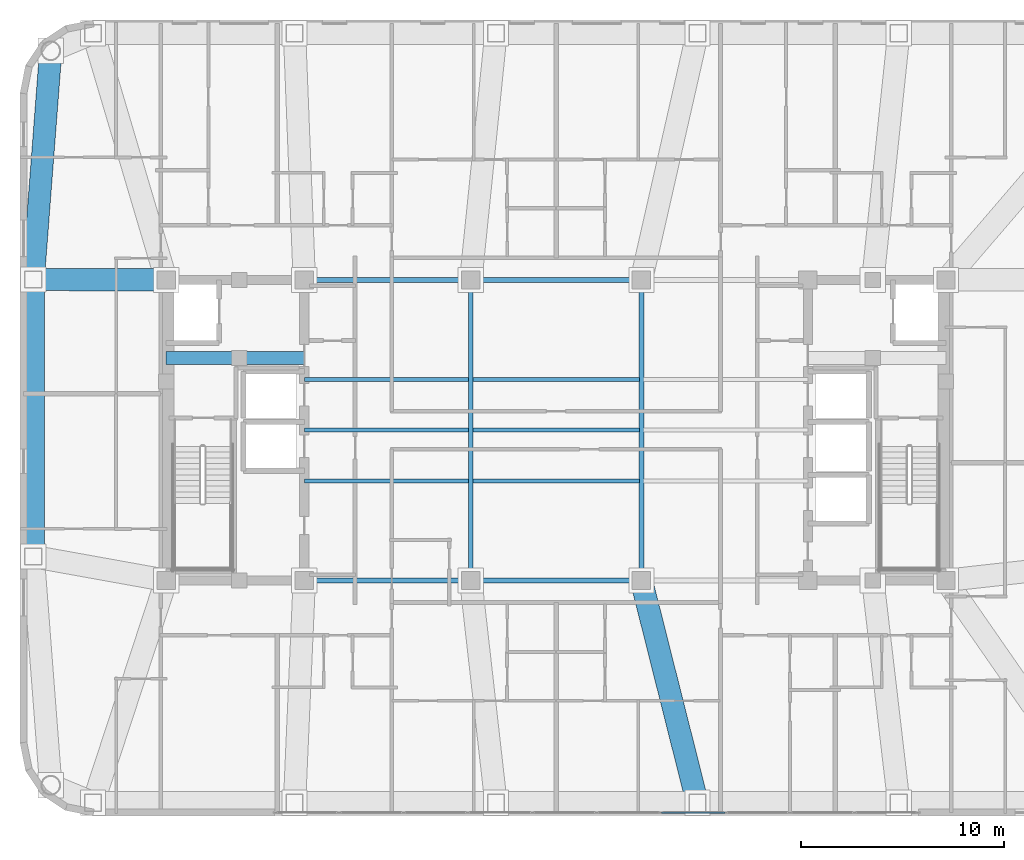
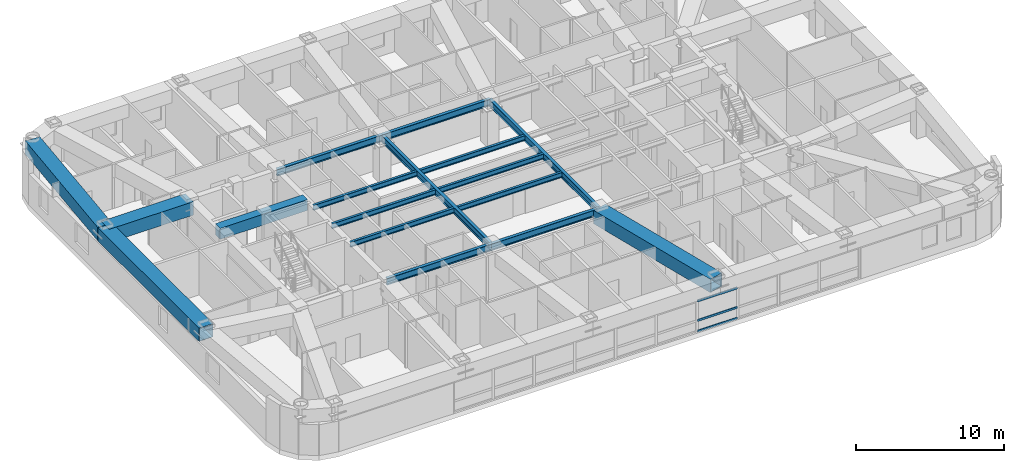
# One storey, part 5 of 16: 17 beams, 3 members, 1 element without a shape of its own.
"""IFC4 building model written with IfcOpenShell, lengths in metres."""

from ifc_helpers import new_model, si_unit, direction, frame, origin, origin_2d, place, context, subcontext, project, spatial, rectangle, hollow_rectangle, i_section, extrude, material, layer, layer_set, material_profile, profile_set, type_object, element, aggregate, save


model = new_model("IFC4")

# Units and contexts
model_context = context("Model", 3, precision=1e-05, world=origin(), true_north=direction((0.0, 1.0)))
body_context = subcontext(model_context, "Body", "Model", "MODEL_VIEW")
ifc_project = project(units=[si_unit("LENGTHUNIT", "METRE"), si_unit("AREAUNIT", "SQUARE_METRE"), si_unit("VOLUMEUNIT", "CUBIC_METRE"), si_unit("PLANEANGLEUNIT", "RADIAN"), si_unit("MASSUNIT", "GRAM", prefix="KILO")], contexts=[model_context])

# Site, building, storey
site_placement = place(None, origin())
site = spatial("IfcSite", under=ifc_project, at=site_placement, CompositionType="ELEMENT")
building_placement = place(site_placement, origin())
building = spatial("IfcBuilding", under=site, at=building_placement, Name="Voryun Gate Residences", CompositionType="ELEMENT")
storey_placement = place(building_placement, frame((0.0, 0.0, 200.199951171875)))
storey = spatial("IfcBuildingStorey", under=building, at=storey_placement, Name="L49", CompositionType="ELEMENT", Elevation=200.199951171875)

# Beams
ifc_material_1 = material(Name="Steel SM420", Category="steel")
ifc_material_profile_1 = material_profile(ifc_material_1, hollow_rectangle(XDim=1.10009765625, YDim=1.10009765625, WallThickness=0.035888671875, at=origin_2d()), Name="BOX-1100x1100x36")
ifc_profile_set_1 = profile_set([ifc_material_profile_1], Name="Steel SM420")
beam_type_1 = type_object("IfcBeamType", Name="BM_ARCH_RIB", PredefinedType="USERDEFINED", material=ifc_profile_set_1)
beam_1_placement = place(storey_placement, frame((-24.885986328125, 18.68603515625, 3.10009765625), z_axis=(-0.076481657417, -0.997070988485, 0.0), x_axis=(0.997070988485, -0.076481657417, 0.0)))
element("IfcBeam", 1, at=beam_1_placement, inside=storey, type_object=beam_type_1, Name="BM-L49-SPAND-17", ObjectType="GIRDER", PredefinedType="USERDEFINED", context=body_context, shape_type="SweptSolid", body=[
    extrude(hollow_rectangle(XDim=1.10009765625, YDim=1.10009765625, WallThickness=0.035888671875, at=origin_2d()), origin(), (0.0, 0.0, 1.0), 11.297119140625),
])
beam_2_placement = place(storey_placement, frame((-25.75, 7.422119140625, 3.10009765625), z_axis=(0.0, -1.0, 0.0), x_axis=(1.0, 0.0, 0.0)))
element("IfcBeam", 2, at=beam_2_placement, inside=storey, type_object=beam_type_1, Name="BM-L49-SPAND-18", ObjectType="GIRDER", PredefinedType="USERDEFINED", context=body_context, shape_type="SweptSolid", body=[
    extrude(hollow_rectangle(XDim=1.10009765625, YDim=1.10009765625, WallThickness=0.035888671875, at=origin_2d()), origin(), (0.0, 0.0, 1.0), 13.64404296875),
])
beam_3_placement = place(storey_placement, frame((4.199951171875, -7.39990234375, 3.10009765625), z_axis=(0.24440715799, -0.969672697936, 0.0), x_axis=(0.969672697936, 0.24440715799, 0.0)))
element("IfcBeam", 3, at=beam_3_placement, inside=storey, type_object=beam_type_1, Name="BM-L49-RAD-S4", ObjectType="GIRDER", PredefinedType="USERDEFINED", context=body_context, shape_type="SweptSolid", body=[
    extrude(hollow_rectangle(XDim=1.10009765625, YDim=1.10009765625, WallThickness=0.035888671875, at=origin_2d()), origin(), (0.0, 0.0, 1.0), 11.292724609375),
])
beam_4_placement = place(storey_placement, frame((-19.199951171875, 7.39990234375, 3.10009765625), z_axis=(-0.999994247719, 0.003391832589, 0.0), x_axis=(-0.003391832589, -0.999994247719, 0.0)))
element("IfcBeam", 4, at=beam_4_placement, inside=storey, type_object=beam_type_1, Name="BM-L49-RAD-W1", ObjectType="GIRDER", PredefinedType="USERDEFINED", context=body_context, shape_type="SweptSolid", body=[
    extrude(hollow_rectangle(XDim=1.10009765625, YDim=1.10009765625, WallThickness=0.035888671875, at=origin_2d()), origin(), (0.0, 0.0, 1.0), 6.550048828125),
])
ifc_material_2 = material(Name="Concrete C60/75", Category="concrete")
ifc_material_profile_2 = material_profile(ifc_material_2, rectangle(XDim=0.64990234375, YDim=0.89990234375, at=origin_2d()), Name="RC-650x900")
ifc_profile_set_2 = profile_set([ifc_material_profile_2], Name="Concrete C60/75")
beam_type_2 = type_object("IfcBeamType", Name="BM_COUP_RC900", PredefinedType="LINTEL", material=ifc_profile_set_2)
beam_5_placement = place(storey_placement, frame((-19.199951171875, 3.550048828125, 3.199951171875), z_axis=(1.0, 0.0, 0.0), x_axis=(0.0, 1.0, 0.0)))
element("IfcBeam", 5, at=beam_5_placement, inside=storey, type_object=beam_type_2, Name="BM-L49-WC1", PredefinedType="LINTEL", context=body_context, shape_type="SweptSolid", body=[
    extrude(rectangle(XDim=0.64990234375, YDim=0.89990234375, at=origin_2d()), origin(), (0.0, 0.0, 1.0), 6.800048828125),
])
ifc_material_3 = material(Name="Steel SM355", Category="steel")
ifc_material_profile_3 = material_profile(ifc_material_3, i_section(OverallWidth=0.239990234375, OverallDepth=0.550048828125, WebThickness=0.011962890625, FlangeThickness=0.02001953125, FilletRadius=0.01806640625, at=origin_2d()), Name="H-550x240x12x20")
ifc_profile_set_3 = profile_set([ifc_material_profile_3], Name="Steel SM355")
beam_type_3 = type_object("IfcBeamType", Name="BM_GIRD_550", PredefinedType="USERDEFINED", material=ifc_profile_set_3)
beam_6_placement = place(storey_placement, frame((-12.39990234375, -7.39990234375, 3.375), z_axis=(1.0, 0.0, 0.0), x_axis=(0.0, 1.0, 0.0)))
element("IfcBeam", 6, at=beam_6_placement, inside=storey, type_object=beam_type_3, Name="BM-L49-SPG1-S", ObjectType="GIRDER", PredefinedType="USERDEFINED", context=body_context, shape_type="SweptSolid", body=[
    extrude(i_section(OverallWidth=0.239990234375, OverallDepth=0.550048828125, WebThickness=0.011962890625, FlangeThickness=0.02001953125, FilletRadius=0.01806640625, at=origin_2d()), origin(), (0.0, 0.0, 1.0), 8.199951171875),
])
beam_7_placement = place(storey_placement, frame((-4.199951171875, -7.39990234375, 3.375), z_axis=(1.0, 0.0, 0.0), x_axis=(0.0, 1.0, 0.0)))
element("IfcBeam", 7, at=beam_7_placement, inside=storey, type_object=beam_type_3, Name="BM-L49-SPG2-S", ObjectType="GIRDER", PredefinedType="USERDEFINED", context=body_context, shape_type="SweptSolid", body=[
    extrude(i_section(OverallWidth=0.239990234375, OverallDepth=0.550048828125, WebThickness=0.011962890625, FlangeThickness=0.02001953125, FilletRadius=0.01806640625, at=origin_2d()), origin(), (0.0, 0.0, 1.0), 8.39990234375),
])
beam_8_placement = place(storey_placement, frame((-12.39990234375, 7.39990234375, 3.375), z_axis=(1.0, 0.0, 0.0), x_axis=(0.0, 1.0, 0.0)))
element("IfcBeam", 8, at=beam_8_placement, inside=storey, type_object=beam_type_3, Name="BM-L49-SPG1-N", ObjectType="GIRDER", PredefinedType="USERDEFINED", context=body_context, shape_type="SweptSolid", body=[
    extrude(i_section(OverallWidth=0.239990234375, OverallDepth=0.550048828125, WebThickness=0.011962890625, FlangeThickness=0.02001953125, FilletRadius=0.01806640625, at=origin_2d()), origin(), (0.0, 0.0, 1.0), 8.199951171875),
])
beam_9_placement = place(storey_placement, frame((-4.199951171875, 7.39990234375, 3.375), z_axis=(1.0, 0.0, 0.0), x_axis=(0.0, 1.0, 0.0)))
element("IfcBeam", 9, at=beam_9_placement, inside=storey, type_object=beam_type_3, Name="BM-L49-SPG2-N", ObjectType="GIRDER", PredefinedType="USERDEFINED", context=body_context, shape_type="SweptSolid", body=[
    extrude(i_section(OverallWidth=0.239990234375, OverallDepth=0.550048828125, WebThickness=0.011962890625, FlangeThickness=0.02001953125, FilletRadius=0.01806640625, at=origin_2d()), origin(), (0.0, 0.0, 1.0), 8.39990234375),
])
for number, where, z_axis, x_axis, name in (
    (10, (-4.199951171875, -7.39990234375, 3.375), (0.0, 1.0, 0.0), (-1.0, 0.0, 0.0), "BM-L49-SPX-W"),
    (11, (4.199951171875, -7.39990234375, 3.375), (0.0, 1.0, 0.0), (-1.0, 0.0, 0.0), "BM-L49-SPX-E"),
):
    element("IfcBeam", number, at=place(storey_placement, frame(where, z_axis=z_axis, x_axis=x_axis)), inside=storey, type_object=beam_type_3, Name=name, ObjectType="GIRDER", PredefinedType="USERDEFINED", context=body_context, shape_type="SweptSolid", body=[
        extrude(i_section(OverallWidth=0.239990234375, OverallDepth=0.550048828125, WebThickness=0.011962890625, FlangeThickness=0.02001953125, FilletRadius=0.01806640625, at=origin_2d()), origin(), (0.0, 0.0, 1.0), 14.7998046875),
    ])
ifc_material_4 = material(Name="Steel SM355", Category="steel")
ifc_material_profile_4 = material_profile(ifc_material_4, i_section(OverallWidth=0.18994140625, OverallDepth=0.419921875, WebThickness=0.009033203125, FlangeThickness=0.01611328125, FilletRadius=0.01806640625, at=origin_2d()), Name="H-420x190x9x16")
ifc_profile_set_4 = profile_set([ifc_material_profile_4], Name="Steel SM355")
beam_type_4 = type_object("IfcBeamType", Name="BM_SEC_420", PredefinedType="BEAM", material=ifc_profile_set_4)
beam_10_placement = place(storey_placement, frame((-12.39990234375, -2.5, 3.43994140625), z_axis=(1.0, 0.0, 0.0), x_axis=(0.0, 1.0, 0.0)))
element("IfcBeam", 12, at=beam_10_placement, inside=storey, type_object=beam_type_4, Name="BM-L49-SEC-CS1", PredefinedType="BEAM", context=body_context, shape_type="SweptSolid", body=[
    extrude(i_section(OverallWidth=0.18994140625, OverallDepth=0.419921875, WebThickness=0.009033203125, FlangeThickness=0.01611328125, FilletRadius=0.01806640625, at=origin_2d()), origin(), (0.0, 0.0, 1.0), 8.099853515625),
])
beam_11_placement = place(storey_placement, frame((-4.10009765625, -2.5, 3.43994140625), z_axis=(1.0, 0.0, 0.0), x_axis=(0.0, 1.0, 0.0)))
element("IfcBeam", 13, at=beam_11_placement, inside=storey, type_object=beam_type_4, Name="BM-L49-SEC-CS2", PredefinedType="BEAM", context=body_context, shape_type="SweptSolid", body=[
    extrude(i_section(OverallWidth=0.18994140625, OverallDepth=0.419921875, WebThickness=0.009033203125, FlangeThickness=0.01611328125, FilletRadius=0.01806640625, at=origin_2d()), origin(), (0.0, 0.0, 1.0), 8.2001953125),
])
beam_12_placement = place(storey_placement, frame((-12.39990234375, 0.0, 3.43994140625), z_axis=(1.0, 0.0, 0.0), x_axis=(0.0, 1.0, 0.0)))
element("IfcBeam", 14, at=beam_12_placement, inside=storey, type_object=beam_type_4, Name="BM-L49-SEC-CM1", PredefinedType="BEAM", context=body_context, shape_type="SweptSolid", body=[
    extrude(i_section(OverallWidth=0.18994140625, OverallDepth=0.419921875, WebThickness=0.009033203125, FlangeThickness=0.01611328125, FilletRadius=0.01806640625, at=origin_2d()), origin(), (0.0, 0.0, 1.0), 8.099853515625),
])
beam_13_placement = place(storey_placement, frame((-4.10009765625, 0.0, 3.43994140625), z_axis=(1.0, 0.0, 0.0), x_axis=(0.0, 1.0, 0.0)))
element("IfcBeam", 15, at=beam_13_placement, inside=storey, type_object=beam_type_4, Name="BM-L49-SEC-CM2", PredefinedType="BEAM", context=body_context, shape_type="SweptSolid", body=[
    extrude(i_section(OverallWidth=0.18994140625, OverallDepth=0.419921875, WebThickness=0.009033203125, FlangeThickness=0.01611328125, FilletRadius=0.01806640625, at=origin_2d()), origin(), (0.0, 0.0, 1.0), 8.2001953125),
])
beam_14_placement = place(storey_placement, frame((-12.39990234375, 2.5, 3.43994140625), z_axis=(1.0, 0.0, 0.0), x_axis=(0.0, 1.0, 0.0)))
element("IfcBeam", 16, at=beam_14_placement, inside=storey, type_object=beam_type_4, Name="BM-L49-SEC-CN1", PredefinedType="BEAM", context=body_context, shape_type="SweptSolid", body=[
    extrude(i_section(OverallWidth=0.18994140625, OverallDepth=0.419921875, WebThickness=0.009033203125, FlangeThickness=0.01611328125, FilletRadius=0.01806640625, at=origin_2d()), origin(), (0.0, 0.0, 1.0), 8.099853515625),
])
beam_15_placement = place(storey_placement, frame((-4.10009765625, 2.5, 3.43994140625), z_axis=(1.0, 0.0, 0.0), x_axis=(0.0, 1.0, 0.0)))
element("IfcBeam", 17, at=beam_15_placement, inside=storey, type_object=beam_type_4, Name="BM-L49-SEC-CN2", PredefinedType="BEAM", context=body_context, shape_type="SweptSolid", body=[
    extrude(i_section(OverallWidth=0.18994140625, OverallDepth=0.419921875, WebThickness=0.009033203125, FlangeThickness=0.01611328125, FilletRadius=0.01806640625, at=origin_2d()), origin(), (0.0, 0.0, 1.0), 8.2001953125),
])

# Curtain wall, members
ifc_material_5 = material(Name="Anodised aluminium", Category="aluminium")
ifc_layer = layer(ifc_material_5, 0.2099609375, Name="CW_SYS_SKYGARDEN_DARK_GLASS")
ifc_layer_set = layer_set([ifc_layer], Name="Anodised aluminium")
curtain_wall_type = type_object("IfcCurtainWallType", Name="CW_SYS_SKYGARDEN_DARK_GLASS", PredefinedType="NOTDEFINED", material=ifc_layer_set)
curtain_wall_placement = place(storey_placement, origin())
curtain_wall = element("IfcCurtainWall", 18, at=curtain_wall_placement, inside=storey, type_object=curtain_wall_type, Name="Curtain wall CW5-L49-SG-01", PredefinedType="NOTDEFINED")
ifc_material_6 = material(Name="Anodised aluminium", Category="aluminium")
ifc_material_profile_5 = material_profile(ifc_material_6, hollow_rectangle(XDim=0.074951171875, YDim=0.169921875, WallThickness=0.0048828125, at=origin_2d()), Name="ALU-TRAN-170x75x5")
ifc_profile_set_5 = profile_set([ifc_material_profile_5], Name="Anodised aluminium")
member_type = type_object("IfcMemberType", Name="CW_TRAN_SKY", PredefinedType="USERDEFINED", material=ifc_profile_set_5)
member_1_placement = place(storey_placement, frame((8.314453125, -18.830078125, 0.030029296875), z_axis=(-1.0, 0.0, 0.0), x_axis=(0.0, -1.0, 0.0)))
member_1 = element("IfcMember", 19, at=member_1_placement, type_object=member_type, Name="CW5 transom 4.1", ObjectType="TRANSOM", PredefinedType="USERDEFINED", context=body_context, shape_type="SweptSolid", body=[
    extrude(hollow_rectangle(XDim=0.074951171875, YDim=0.169921875, WallThickness=0.0048828125, at=origin_2d()), origin(), (0.0, 0.0, 1.0), 3.1123046875),
])
member_2_placement = place(storey_placement, frame((8.314453125, -18.830078125, 0.91455078125), z_axis=(-1.0, 0.0, 0.0), x_axis=(0.0, -1.0, 0.0)))
member_2 = element("IfcMember", 20, at=member_2_placement, type_object=member_type, Name="CW5 transom 4.2", ObjectType="TRANSOM", PredefinedType="USERDEFINED", context=body_context, shape_type="SweptSolid", body=[
    extrude(hollow_rectangle(XDim=0.074951171875, YDim=0.169921875, WallThickness=0.0048828125, at=origin_2d()), origin(), (0.0, 0.0, 1.0), 3.1123046875),
])
member_3_placement = place(storey_placement, frame((8.314453125, -18.830078125, 2.510009765625), z_axis=(-1.0, 0.0, 0.0), x_axis=(0.0, -1.0, 0.0)))
member_3 = element("IfcMember", 21, at=member_3_placement, type_object=member_type, Name="CW5 transom 4.3", ObjectType="TRANSOM", PredefinedType="USERDEFINED", context=body_context, shape_type="SweptSolid", body=[
    extrude(hollow_rectangle(XDim=0.074951171875, YDim=0.169921875, WallThickness=0.0048828125, at=origin_2d()), origin(), (0.0, 0.0, 1.0), 3.1123046875),
])
aggregate(curtain_wall, [member_1, member_2, member_3])

save(model, "model.ifc")
